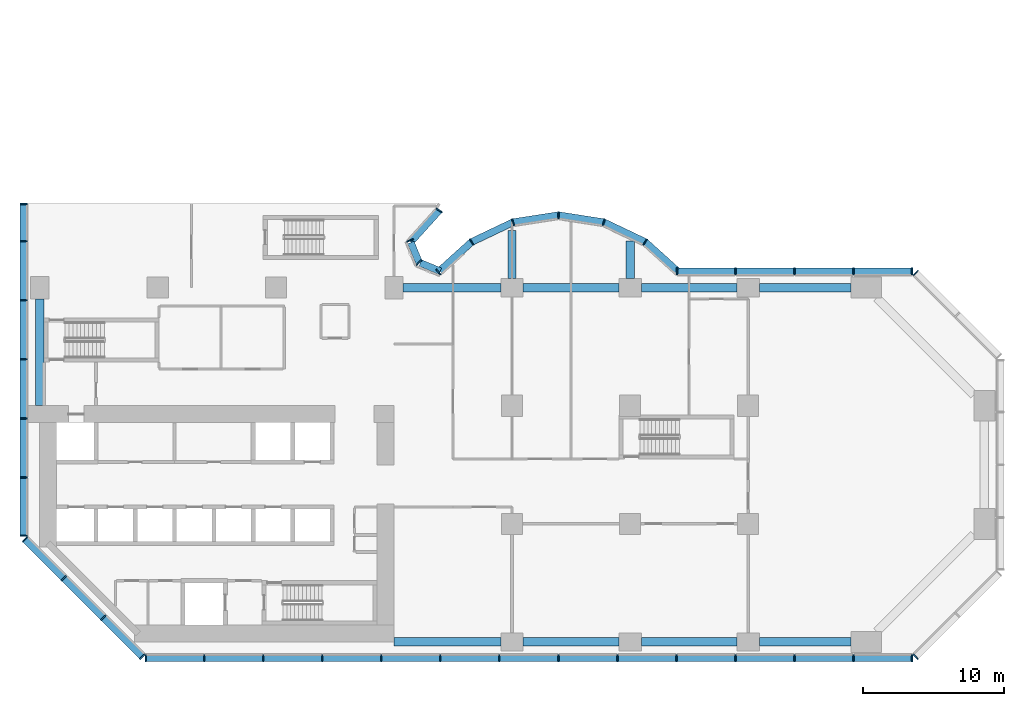
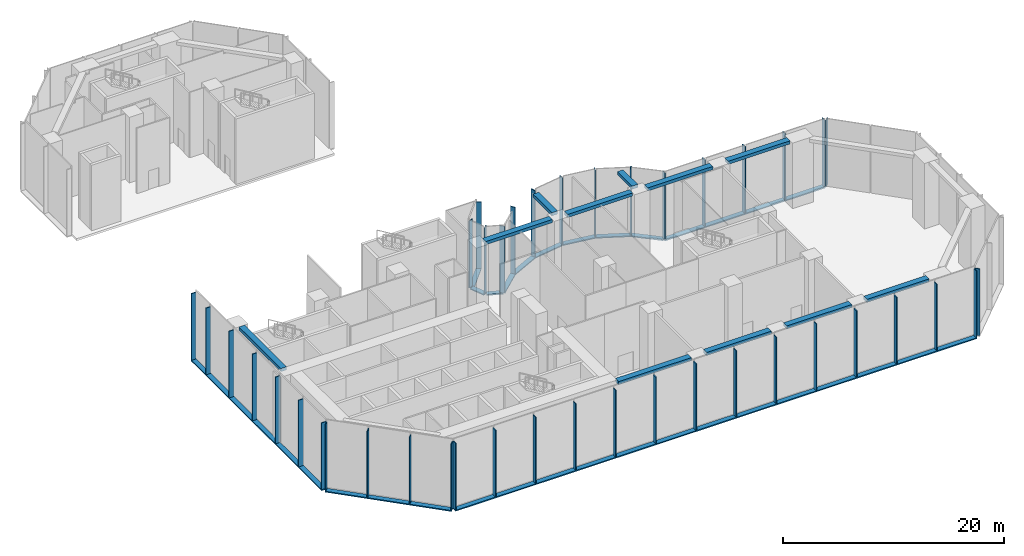
# One storey, part 2 of 16: 54 members, 11 beams, 9 elements without a shape of their own.
"""IFC4 building model written with IfcOpenShell, lengths in metres."""

from ifc_helpers import new_model, si_unit, direction, frame, origin, origin_2d, place, context, subcontext, project, spatial, rectangle, extrude, material, material_profile, profile_set, type_object, element, aggregate, save


model = new_model("IFC4")

# Units and contexts
model_context = context("Model", 3, precision=1e-05, world=origin(), true_north=direction((0.0, 1.0)))
body_context = subcontext(model_context, "Body", "Model", "MODEL_VIEW")
ifc_project = project(units=[si_unit("LENGTHUNIT", "METRE"), si_unit("AREAUNIT", "SQUARE_METRE"), si_unit("VOLUMEUNIT", "CUBIC_METRE"), si_unit("PLANEANGLEUNIT", "RADIAN"), si_unit("MASSUNIT", "GRAM", prefix="KILO")], contexts=[model_context])

# Site, building, storey
site_placement = place(None, origin())
site = spatial("IfcSite", under=ifc_project, at=site_placement, CompositionType="ELEMENT")
building_placement = place(site_placement, origin())
building = spatial("IfcBuilding", under=site, at=building_placement, Name="Brevane Broadcast Tower", CompositionType="ELEMENT")
storey_placement = place(building_placement, frame((0.0, 0.0, 12.5)))
storey = spatial("IfcBuildingStorey", under=building, at=storey_placement, Name="L02", CompositionType="ELEMENT", Elevation=12.5)

# Curtain wall, members
ifc_material_1 = material(Name="Aluminium 6063-T6 bronze anodised", Category="aluminium")
curtain_wall_type = type_object("IfcCurtainWallType", Name="CW-2 curtain wall", PredefinedType="NOTDEFINED", material=ifc_material_1)
curtain_wall_1_placement = place(storey_placement, origin())
curtain_wall_1 = element("IfcCurtainWall", 1, at=curtain_wall_1_placement, inside=storey, type_object=curtain_wall_type, Name="CW-2 podium base unit L02 south face", PredefinedType="NOTDEFINED")
ifc_material_profile_1 = material_profile(ifc_material_1, rectangle(XDim=0.5, YDim=0.090087890625, at=origin_2d()), Name="RECT 90x500")
ifc_profile_set_1 = profile_set([ifc_material_profile_1], Name="Aluminium 6063-T6 bronze anodised")
member_type_1 = type_object("IfcMemberType", Name="CW-2 mullion 90x500", PredefinedType="MULLION", material=ifc_profile_set_1)
member_1_placement = place(storey_placement, frame((7.544921875, -1.14990234375, -0.1298828125), z_axis=(0.0, 0.0, 1.0), x_axis=(0.0, 1.0, 0.0)))
member_1 = element("IfcMember", 2, at=member_1_placement, type_object=member_type_1, Name="CW-2 mullion", PredefinedType="MULLION", context=body_context, shape_type="SweptSolid", body=[
    extrude(rectangle(XDim=0.5, YDim=0.090087890625, at=origin_2d()), origin(), (0.0, 0.0, 1.0), 7.3798828125),
])
member_2_placement = place(storey_placement, frame((11.699951171875, -1.14990234375, -0.1298828125), z_axis=(0.0, 0.0, 1.0), x_axis=(0.0, 1.0, 0.0)))
member_2 = element("IfcMember", 3, at=member_2_placement, type_object=member_type_1, Name="CW-2 mullion", PredefinedType="MULLION", context=body_context, shape_type="SweptSolid", body=[
    extrude(rectangle(XDim=0.5, YDim=0.090087890625, at=origin_2d()), origin(), (0.0, 0.0, 1.0), 7.3798828125),
])
member_3_placement = place(storey_placement, frame((15.89990234375, -1.14990234375, -0.1298828125), z_axis=(0.0, 0.0, 1.0), x_axis=(0.0, 1.0, 0.0)))
member_3 = element("IfcMember", 4, at=member_3_placement, type_object=member_type_1, Name="CW-2 mullion", PredefinedType="MULLION", context=body_context, shape_type="SweptSolid", body=[
    extrude(rectangle(XDim=0.5, YDim=0.090087890625, at=origin_2d()), origin(), (0.0, 0.0, 1.0), 7.3798828125),
])
member_4_placement = place(storey_placement, frame((20.10009765625, -1.14990234375, -0.1298828125), z_axis=(0.0, 0.0, 1.0), x_axis=(0.0, 1.0, 0.0)))
member_4 = element("IfcMember", 5, at=member_4_placement, type_object=member_type_1, Name="CW-2 mullion", PredefinedType="MULLION", context=body_context, shape_type="SweptSolid", body=[
    extrude(rectangle(XDim=0.5, YDim=0.090087890625, at=origin_2d()), origin(), (0.0, 0.0, 1.0), 7.3798828125),
])
member_5_placement = place(storey_placement, frame((24.300048828125, -1.14990234375, -0.1298828125), z_axis=(0.0, 0.0, 1.0), x_axis=(0.0, 1.0, 0.0)))
member_5 = element("IfcMember", 6, at=member_5_placement, type_object=member_type_1, Name="CW-2 mullion", PredefinedType="MULLION", context=body_context, shape_type="SweptSolid", body=[
    extrude(rectangle(XDim=0.5, YDim=0.090087890625, at=origin_2d()), origin(), (0.0, 0.0, 1.0), 7.3798828125),
])
member_6_placement = place(storey_placement, frame((28.5, -1.14990234375, -0.1298828125), z_axis=(0.0, 0.0, 1.0), x_axis=(0.0, 1.0, 0.0)))
member_6 = element("IfcMember", 7, at=member_6_placement, type_object=member_type_1, Name="CW-2 mullion", PredefinedType="MULLION", context=body_context, shape_type="SweptSolid", body=[
    extrude(rectangle(XDim=0.5, YDim=0.090087890625, at=origin_2d()), origin(), (0.0, 0.0, 1.0), 7.3798828125),
])
member_7_placement = place(storey_placement, frame((32.699951171875, -1.14990234375, -0.1298828125), z_axis=(0.0, 0.0, 1.0), x_axis=(0.0, 1.0, 0.0)))
member_7 = element("IfcMember", 8, at=member_7_placement, type_object=member_type_1, Name="CW-2 mullion", PredefinedType="MULLION", context=body_context, shape_type="SweptSolid", body=[
    extrude(rectangle(XDim=0.5, YDim=0.090087890625, at=origin_2d()), origin(), (0.0, 0.0, 1.0), 7.3798828125),
])
member_8_placement = place(storey_placement, frame((36.89990234375, -1.14990234375, -0.1298828125), z_axis=(0.0, 0.0, 1.0), x_axis=(0.0, 1.0, 0.0)))
member_8 = element("IfcMember", 9, at=member_8_placement, type_object=member_type_1, Name="CW-2 mullion", PredefinedType="MULLION", context=body_context, shape_type="SweptSolid", body=[
    extrude(rectangle(XDim=0.5, YDim=0.090087890625, at=origin_2d()), origin(), (0.0, 0.0, 1.0), 7.3798828125),
])
member_9_placement = place(storey_placement, frame((41.10009765625, -1.14990234375, -0.1298828125), z_axis=(0.0, 0.0, 1.0), x_axis=(0.0, 1.0, 0.0)))
member_9 = element("IfcMember", 10, at=member_9_placement, type_object=member_type_1, Name="CW-2 mullion", PredefinedType="MULLION", context=body_context, shape_type="SweptSolid", body=[
    extrude(rectangle(XDim=0.5, YDim=0.090087890625, at=origin_2d()), origin(), (0.0, 0.0, 1.0), 7.3798828125),
])
member_10_placement = place(storey_placement, frame((45.300048828125, -1.14990234375, -0.1298828125), z_axis=(0.0, 0.0, 1.0), x_axis=(0.0, 1.0, 0.0)))
member_10 = element("IfcMember", 11, at=member_10_placement, type_object=member_type_1, Name="CW-2 mullion", PredefinedType="MULLION", context=body_context, shape_type="SweptSolid", body=[
    extrude(rectangle(XDim=0.5, YDim=0.090087890625, at=origin_2d()), origin(), (0.0, 0.0, 1.0), 7.3798828125),
])
member_11_placement = place(storey_placement, frame((49.5, -1.14990234375, -0.1298828125), z_axis=(0.0, 0.0, 1.0), x_axis=(0.0, 1.0, 0.0)))
member_11 = element("IfcMember", 12, at=member_11_placement, type_object=member_type_1, Name="CW-2 mullion", PredefinedType="MULLION", context=body_context, shape_type="SweptSolid", body=[
    extrude(rectangle(XDim=0.5, YDim=0.090087890625, at=origin_2d()), origin(), (0.0, 0.0, 1.0), 7.3798828125),
])
member_12_placement = place(storey_placement, frame((53.699951171875, -1.14990234375, -0.1298828125), z_axis=(0.0, 0.0, 1.0), x_axis=(0.0, 1.0, 0.0)))
member_12 = element("IfcMember", 13, at=member_12_placement, type_object=member_type_1, Name="CW-2 mullion", PredefinedType="MULLION", context=body_context, shape_type="SweptSolid", body=[
    extrude(rectangle(XDim=0.5, YDim=0.090087890625, at=origin_2d()), origin(), (0.0, 0.0, 1.0), 7.3798828125),
])
member_13_placement = place(storey_placement, frame((57.89990234375, -1.14990234375, -0.1298828125), z_axis=(0.0, 0.0, 1.0), x_axis=(0.0, 1.0, 0.0)))
member_13 = element("IfcMember", 14, at=member_13_placement, type_object=member_type_1, Name="CW-2 mullion", PredefinedType="MULLION", context=body_context, shape_type="SweptSolid", body=[
    extrude(rectangle(XDim=0.5, YDim=0.090087890625, at=origin_2d()), origin(), (0.0, 0.0, 1.0), 7.3798828125),
])
member_14_placement = place(storey_placement, frame((62.054931640625, -1.14990234375, -0.1298828125), z_axis=(0.0, 0.0, 1.0), x_axis=(0.0, 1.0, 0.0)))
member_14 = element("IfcMember", 15, at=member_14_placement, type_object=member_type_1, Name="CW-2 mullion", PredefinedType="MULLION", context=body_context, shape_type="SweptSolid", body=[
    extrude(rectangle(XDim=0.5, YDim=0.090087890625, at=origin_2d()), origin(), (0.0, 0.0, 1.0), 7.3798828125),
])

# Curtain wall, member
curtain_wall_2_placement = place(storey_placement, origin())
curtain_wall_2 = element("IfcCurtainWall", 16, at=curtain_wall_2_placement, inside=storey, type_object=curtain_wall_type, Name="CW-2 podium base unit L02 south-east chamfer", PredefinedType="NOTDEFINED")
member_15_placement = place(storey_placement, frame((62.30859375, -1.044921875, -0.1298828125), z_axis=(0.0, 0.0, 1.0), x_axis=(-0.707106781187, 0.707106781187, 0.0)))
member_15 = element("IfcMember", 17, at=member_15_placement, type_object=member_type_1, Name="CW-2 mullion", PredefinedType="MULLION", context=body_context, shape_type="SweptSolid", body=[
    extrude(rectangle(XDim=0.5, YDim=0.090087890625, at=origin_2d()), origin(), (0.0, 0.0, 1.0), 7.3798828125),
])
aggregate(curtain_wall_2, [member_15])

curtain_wall_3_placement = place(storey_placement, origin())
curtain_wall_3 = element("IfcCurtainWall", 18, at=curtain_wall_3_placement, inside=storey, type_object=curtain_wall_type, Name="CW-2 podium base unit L02 north-east chamfer", PredefinedType="NOTDEFINED")
member_16_placement = place(storey_placement, frame((62.30859375, 26.244873046875, -0.1298828125), z_axis=(0.0, 0.0, 1.0), x_axis=(-0.707106781187, -0.707106781187, 0.0)))
member_16 = element("IfcMember", 19, at=member_16_placement, type_object=member_type_1, Name="CW-2 mullion", PredefinedType="MULLION", context=body_context, shape_type="SweptSolid", body=[
    extrude(rectangle(XDim=0.5, YDim=0.090087890625, at=origin_2d()), origin(), (0.0, 0.0, 1.0), 7.3798828125),
])
aggregate(curtain_wall_3, [member_16])

# Curtain wall, members
curtain_wall_4_placement = place(storey_placement, origin())
curtain_wall_4 = element("IfcCurtainWall", 20, at=curtain_wall_4_placement, inside=storey, type_object=curtain_wall_type, Name="CW-2 podium base unit L02 east arm north face", PredefinedType="NOTDEFINED")
member_17_placement = place(storey_placement, frame((62.054931640625, 26.35009765625, -0.1298828125), z_axis=(0.0, 0.0, 1.0), x_axis=(0.0, -1.0, 0.0)))
member_17 = element("IfcMember", 21, at=member_17_placement, type_object=member_type_1, Name="CW-2 mullion", PredefinedType="MULLION", context=body_context, shape_type="SweptSolid", body=[
    extrude(rectangle(XDim=0.5, YDim=0.090087890625, at=origin_2d()), origin(), (0.0, 0.0, 1.0), 7.3798828125),
])
member_18_placement = place(storey_placement, frame((57.89990234375, 26.35009765625, -0.1298828125), z_axis=(0.0, 0.0, 1.0), x_axis=(0.0, -1.0, 0.0)))
member_18 = element("IfcMember", 22, at=member_18_placement, type_object=member_type_1, Name="CW-2 mullion", PredefinedType="MULLION", context=body_context, shape_type="SweptSolid", body=[
    extrude(rectangle(XDim=0.5, YDim=0.090087890625, at=origin_2d()), origin(), (0.0, 0.0, 1.0), 7.3798828125),
])
member_19_placement = place(storey_placement, frame((53.699951171875, 26.35009765625, -0.1298828125), z_axis=(0.0, 0.0, 1.0), x_axis=(0.0, -1.0, 0.0)))
member_19 = element("IfcMember", 23, at=member_19_placement, type_object=member_type_1, Name="CW-2 mullion", PredefinedType="MULLION", context=body_context, shape_type="SweptSolid", body=[
    extrude(rectangle(XDim=0.5, YDim=0.090087890625, at=origin_2d()), origin(), (0.0, 0.0, 1.0), 7.3798828125),
])
member_20_placement = place(storey_placement, frame((49.5, 26.35009765625, -0.1298828125), z_axis=(0.0, 0.0, 1.0), x_axis=(0.0, -1.0, 0.0)))
member_20 = element("IfcMember", 24, at=member_20_placement, type_object=member_type_1, Name="CW-2 mullion", PredefinedType="MULLION", context=body_context, shape_type="SweptSolid", body=[
    extrude(rectangle(XDim=0.5, YDim=0.090087890625, at=origin_2d()), origin(), (0.0, 0.0, 1.0), 7.3798828125),
])
member_21_placement = place(storey_placement, frame((45.344970703125, 26.35009765625, -0.1298828125), z_axis=(0.0, 0.0, 1.0), x_axis=(0.0, -1.0, 0.0)))
member_21 = element("IfcMember", 25, at=member_21_placement, type_object=member_type_1, Name="CW-2 mullion", PredefinedType="MULLION", context=body_context, shape_type="SweptSolid", body=[
    extrude(rectangle(XDim=0.5, YDim=0.090087890625, at=origin_2d()), origin(), (0.0, 0.0, 1.0), 7.3798828125),
])

curtain_wall_5_placement = place(storey_placement, origin())
curtain_wall_5 = element("IfcCurtainWall", 26, at=curtain_wall_5_placement, inside=storey, type_object=curtain_wall_type, Name="CW-2 podium base unit L02 east bow", PredefinedType="NOTDEFINED")
member_22_placement = place(storey_placement, frame((43.0712890625, 28.447021484375, -0.1298828125), z_axis=(0.0, 0.0, 1.0), x_axis=(-0.555997481379, -0.831183975243, 0.0)))
member_22 = element("IfcMember", 27, at=member_22_placement, type_object=member_type_1, Name="CW-2 mullion", PredefinedType="MULLION", context=body_context, shape_type="SweptSolid", body=[
    extrude(rectangle(XDim=0.5, YDim=0.090087890625, at=origin_2d()), origin(), (0.0, 0.0, 1.0), 7.3798828125),
])
member_23_placement = place(storey_placement, frame((40.126953125, 29.84912109375, -0.1298828125), z_axis=(0.0, 0.0, 1.0), x_axis=(-0.294828346832, -0.955550232015, 0.0)))
member_23 = element("IfcMember", 28, at=member_23_placement, type_object=member_type_1, Name="CW-2 mullion", PredefinedType="MULLION", context=body_context, shape_type="SweptSolid", body=[
    extrude(rectangle(XDim=0.5, YDim=0.090087890625, at=origin_2d()), origin(), (0.0, 0.0, 1.0), 7.3798828125),
])
member_24_placement = place(storey_placement, frame((36.89990234375, 30.35009765625, -0.1298828125), z_axis=(0.0, 0.0, 1.0), x_axis=(0.0, -1.0, 0.0)))
member_24 = element("IfcMember", 29, at=member_24_placement, type_object=member_type_1, Name="CW-2 mullion", PredefinedType="MULLION", context=body_context, shape_type="SweptSolid", body=[
    extrude(rectangle(XDim=0.5, YDim=0.090087890625, at=origin_2d()), origin(), (0.0, 0.0, 1.0), 7.3798828125),
])
member_25_placement = place(storey_placement, frame((33.673095703125, 29.84912109375, -0.1298828125), z_axis=(0.0, 0.0, 1.0), x_axis=(0.294828346832, -0.955550232015, 0.0)))
member_25 = element("IfcMember", 30, at=member_25_placement, type_object=member_type_1, Name="CW-2 mullion", PredefinedType="MULLION", context=body_context, shape_type="SweptSolid", body=[
    extrude(rectangle(XDim=0.5, YDim=0.090087890625, at=origin_2d()), origin(), (0.0, 0.0, 1.0), 7.3798828125),
])
member_26_placement = place(storey_placement, frame((30.728759765625, 28.447021484375, -0.1298828125), z_axis=(0.0, 0.0, 1.0), x_axis=(0.555997481379, -0.831183975243, 0.0)))
member_26 = element("IfcMember", 31, at=member_26_placement, type_object=member_type_1, Name="CW-2 mullion", PredefinedType="MULLION", context=body_context, shape_type="SweptSolid", body=[
    extrude(rectangle(XDim=0.5, YDim=0.090087890625, at=origin_2d()), origin(), (0.0, 0.0, 1.0), 7.3798828125),
])
member_27_placement = place(storey_placement, frame((28.36572265625, 26.315673828125, -0.1298828125), z_axis=(0.0, 0.0, 1.0), x_axis=(0.670368934758, -0.742027958578, 0.0)))
member_27 = element("IfcMember", 32, at=member_27_placement, type_object=member_type_1, Name="CW-2 mullion", PredefinedType="MULLION", context=body_context, shape_type="SweptSolid", body=[
    extrude(rectangle(XDim=0.5, YDim=0.090087890625, at=origin_2d()), origin(), (0.0, 0.0, 1.0), 7.3798828125),
])

curtain_wall_6_placement = place(storey_placement, origin())
curtain_wall_6 = element("IfcCurtainWall", 33, at=curtain_wall_6_placement, inside=storey, type_object=curtain_wall_type, Name="CW-2 podium base unit L02 inner corner", PredefinedType="NOTDEFINED")
member_28_placement = place(storey_placement, frame((26.979736328125, 26.979736328125, -0.1298828125), z_axis=(0.0, 0.0, 1.0), x_axis=(-0.707106781187, -0.707106781187, 0.0)))
member_28 = element("IfcMember", 34, at=member_28_placement, type_object=member_type_1, Name="CW-2 mullion", PredefinedType="MULLION", context=body_context, shape_type="SweptSolid", body=[
    extrude(rectangle(XDim=0.5, YDim=0.090087890625, at=origin_2d()), origin(), (0.0, 0.0, 1.0), 7.3798828125),
])
member_29_placement = place(storey_placement, frame((26.34814453125, 28.55419921875, -0.1298828125), z_axis=(0.0, 0.0, 1.0), x_axis=(-0.923879457699, -0.382683612978, 0.0)))
member_29 = element("IfcMember", 35, at=member_29_placement, type_object=member_type_1, Name="CW-2 mullion", PredefinedType="MULLION", context=body_context, shape_type="SweptSolid", body=[
    extrude(rectangle(XDim=0.5, YDim=0.090087890625, at=origin_2d()), origin(), (0.0, 0.0, 1.0), 7.3798828125),
])

# Curtain wall, member
curtain_wall_7_placement = place(storey_placement, origin())
curtain_wall_7 = element("IfcCurtainWall", 36, at=curtain_wall_7_placement, inside=storey, type_object=curtain_wall_type, Name="CW-2 podium base unit L02 north bow", PredefinedType="NOTDEFINED")
member_30_placement = place(storey_placement, frame((28.421875, 30.69140625, -0.1298828125), z_axis=(0.0, 0.0, 1.0), x_axis=(-0.831183975243, 0.555997481379, 0.0)))
member_30 = element("IfcMember", 37, at=member_30_placement, type_object=member_type_1, Name="CW-2 mullion", PredefinedType="MULLION", context=body_context, shape_type="SweptSolid", body=[
    extrude(rectangle(XDim=0.5, YDim=0.090087890625, at=origin_2d()), origin(), (0.0, 0.0, 1.0), 7.3798828125),
])

# Curtain wall, members
curtain_wall_8_placement = place(storey_placement, origin())
curtain_wall_8 = element("IfcCurtainWall", 38, at=curtain_wall_8_placement, inside=storey, type_object=curtain_wall_type, Name="CW-2 podium base unit L02 west face", PredefinedType="NOTDEFINED")
member_31_placement = place(storey_placement, frame((-1.14990234375, 31.155029296875, -0.1298828125), z_axis=(0.0, 0.0, 1.0), x_axis=(1.0, 0.0, 0.0)))
member_31 = element("IfcMember", 39, at=member_31_placement, type_object=member_type_1, Name="CW-2 mullion", PredefinedType="MULLION", context=body_context, shape_type="SweptSolid", body=[
    extrude(rectangle(XDim=0.5, YDim=0.090087890625, at=origin_2d()), origin(), (0.0, 0.0, 1.0), 7.3798828125),
])
member_32_placement = place(storey_placement, frame((-1.14990234375, 28.5, -0.1298828125), z_axis=(0.0, 0.0, 1.0), x_axis=(1.0, 0.0, 0.0)))
member_32 = element("IfcMember", 40, at=member_32_placement, type_object=member_type_1, Name="CW-2 mullion", PredefinedType="MULLION", context=body_context, shape_type="SweptSolid", body=[
    extrude(rectangle(XDim=0.5, YDim=0.090087890625, at=origin_2d()), origin(), (0.0, 0.0, 1.0), 7.3798828125),
])
member_33_placement = place(storey_placement, frame((-1.14990234375, 24.300048828125, -0.1298828125), z_axis=(0.0, 0.0, 1.0), x_axis=(1.0, 0.0, 0.0)))
member_33 = element("IfcMember", 41, at=member_33_placement, type_object=member_type_1, Name="CW-2 mullion", PredefinedType="MULLION", context=body_context, shape_type="SweptSolid", body=[
    extrude(rectangle(XDim=0.5, YDim=0.090087890625, at=origin_2d()), origin(), (0.0, 0.0, 1.0), 7.3798828125),
])
member_34_placement = place(storey_placement, frame((-1.14990234375, 20.10009765625, -0.1298828125), z_axis=(0.0, 0.0, 1.0), x_axis=(1.0, 0.0, 0.0)))
member_34 = element("IfcMember", 42, at=member_34_placement, type_object=member_type_1, Name="CW-2 mullion", PredefinedType="MULLION", context=body_context, shape_type="SweptSolid", body=[
    extrude(rectangle(XDim=0.5, YDim=0.090087890625, at=origin_2d()), origin(), (0.0, 0.0, 1.0), 7.3798828125),
])
member_35_placement = place(storey_placement, frame((-1.14990234375, 15.89990234375, -0.1298828125), z_axis=(0.0, 0.0, 1.0), x_axis=(1.0, 0.0, 0.0)))
member_35 = element("IfcMember", 43, at=member_35_placement, type_object=member_type_1, Name="CW-2 mullion", PredefinedType="MULLION", context=body_context, shape_type="SweptSolid", body=[
    extrude(rectangle(XDim=0.5, YDim=0.090087890625, at=origin_2d()), origin(), (0.0, 0.0, 1.0), 7.3798828125),
])
member_36_placement = place(storey_placement, frame((-1.14990234375, 11.699951171875, -0.1298828125), z_axis=(0.0, 0.0, 1.0), x_axis=(1.0, 0.0, 0.0)))
member_36 = element("IfcMember", 44, at=member_36_placement, type_object=member_type_1, Name="CW-2 mullion", PredefinedType="MULLION", context=body_context, shape_type="SweptSolid", body=[
    extrude(rectangle(XDim=0.5, YDim=0.090087890625, at=origin_2d()), origin(), (0.0, 0.0, 1.0), 7.3798828125),
])
member_37_placement = place(storey_placement, frame((-1.14990234375, 7.544921875, -0.1298828125), z_axis=(0.0, 0.0, 1.0), x_axis=(1.0, 0.0, 0.0)))
member_37 = element("IfcMember", 45, at=member_37_placement, type_object=member_type_1, Name="CW-2 mullion", PredefinedType="MULLION", context=body_context, shape_type="SweptSolid", body=[
    extrude(rectangle(XDim=0.5, YDim=0.090087890625, at=origin_2d()), origin(), (0.0, 0.0, 1.0), 7.3798828125),
])

curtain_wall_9_placement = place(storey_placement, origin())
curtain_wall_9 = element("IfcCurtainWall", 46, at=curtain_wall_9_placement, inside=storey, type_object=curtain_wall_type, Name="CW-2 podium base unit L02 south-west chamfer", PredefinedType="NOTDEFINED")
member_38_placement = place(storey_placement, frame((-1.044921875, 7.29150390625, -0.1298828125), z_axis=(0.0, 0.0, 1.0), x_axis=(0.707106781187, 0.707106781187, 0.0)))
member_38 = element("IfcMember", 47, at=member_38_placement, type_object=member_type_1, Name="CW-2 mullion", PredefinedType="MULLION", context=body_context, shape_type="SweptSolid", body=[
    extrude(rectangle(XDim=0.5, YDim=0.090087890625, at=origin_2d()), origin(), (0.0, 0.0, 1.0), 7.3798828125),
])
member_39_placement = place(storey_placement, frame((1.72314453125, 4.523193359375, -0.1298828125), z_axis=(0.0, 0.0, 1.0), x_axis=(0.707106781187, 0.707106781187, 0.0)))
member_39 = element("IfcMember", 48, at=member_39_placement, type_object=member_type_1, Name="CW-2 mullion", PredefinedType="MULLION", context=body_context, shape_type="SweptSolid", body=[
    extrude(rectangle(XDim=0.5, YDim=0.090087890625, at=origin_2d()), origin(), (0.0, 0.0, 1.0), 7.3798828125),
])
member_40_placement = place(storey_placement, frame((4.523193359375, 1.72314453125, -0.1298828125), z_axis=(0.0, 0.0, 1.0), x_axis=(0.707106781187, 0.707106781187, 0.0)))
member_40 = element("IfcMember", 49, at=member_40_placement, type_object=member_type_1, Name="CW-2 mullion", PredefinedType="MULLION", context=body_context, shape_type="SweptSolid", body=[
    extrude(rectangle(XDim=0.5, YDim=0.090087890625, at=origin_2d()), origin(), (0.0, 0.0, 1.0), 7.3798828125),
])
member_41_placement = place(storey_placement, frame((7.29150390625, -1.044921875, -0.1298828125), z_axis=(0.0, 0.0, 1.0), x_axis=(0.707106781187, 0.707106781187, 0.0)))
member_41 = element("IfcMember", 50, at=member_41_placement, type_object=member_type_1, Name="CW-2 mullion", PredefinedType="MULLION", context=body_context, shape_type="SweptSolid", body=[
    extrude(rectangle(XDim=0.5, YDim=0.090087890625, at=origin_2d()), origin(), (0.0, 0.0, 1.0), 7.3798828125),
])

# Member
ifc_material_profile_2 = material_profile(ifc_material_1, rectangle(XDim=0.5, YDim=0.1201171875, at=origin_2d()), Name="RECT 120x500")
ifc_profile_set_2 = profile_set([ifc_material_profile_2], Name="Aluminium 6063-T6 bronze anodised")
member_type_2 = type_object("IfcMemberType", Name="CW-2 transom 120x500", PredefinedType="USERDEFINED", material=ifc_profile_set_2)
member_42_placement = place(storey_placement, frame((7.5, -1.14990234375, -0.18994140625), z_axis=(1.0, 0.0, 0.0), x_axis=(0.0, 1.0, 0.0)))
member_42 = element("IfcMember", 51, at=member_42_placement, type_object=member_type_2, Name="CW-2 transom", ObjectType="TRANSOM", PredefinedType="USERDEFINED", context=body_context, shape_type="SweptSolid", body=[
    extrude(rectangle(XDim=0.5, YDim=0.1201171875, at=origin_2d()), origin(), (0.0, 0.0, 1.0), 54.60009765625),
])

aggregate(curtain_wall_1, [member_1, member_2, member_3, member_4, member_5, member_6, member_7, member_8, member_9, member_10, member_11, member_12, member_13, member_14, member_42])

member_43_placement = place(storey_placement, frame((62.10009765625, 26.35009765625, -0.18994140625), z_axis=(-1.0, 0.0, 0.0), x_axis=(0.0, -1.0, 0.0)))
member_43 = element("IfcMember", 52, at=member_43_placement, type_object=member_type_2, Name="CW-2 transom", ObjectType="TRANSOM", PredefinedType="USERDEFINED", context=body_context, shape_type="SweptSolid", body=[
    extrude(rectangle(XDim=0.5, YDim=0.1201171875, at=origin_2d()), origin(), (0.0, 0.0, 1.0), 16.800048828125),
])

aggregate(curtain_wall_4, [member_17, member_18, member_19, member_20, member_21, member_43])

member_44_placement = place(storey_placement, frame((45.349365234375, 26.39208984375, -0.18994140625), z_axis=(-0.742007303722, 0.670391796805, 0.0), x_axis=(-0.670391796805, -0.742007303722, 0.0)))
member_44 = element("IfcMember", 53, at=member_44_placement, type_object=member_type_2, Name="CW-2 transom", ObjectType="TRANSOM", PredefinedType="USERDEFINED", context=body_context, shape_type="SweptSolid", body=[
    extrude(rectangle(XDim=0.5, YDim=0.1201171875, at=origin_2d()), origin(), (0.0, 0.0, 1.0), 3.040771484375),
])

member_45_placement = place(storey_placement, frame((43.039794921875, 28.46484375, -0.18994140625), z_axis=(-0.902852027894, 0.429951410892, 0.0), x_axis=(-0.429951410892, -0.902852027894, 0.0)))
member_45 = element("IfcMember", 54, at=member_45_placement, type_object=member_type_2, Name="CW-2 transom", ObjectType="TRANSOM", PredefinedType="USERDEFINED", context=body_context, shape_type="SweptSolid", body=[
    extrude(rectangle(XDim=0.5, YDim=0.1201171875, at=origin_2d()), origin(), (0.0, 0.0, 1.0), 3.18896484375),
])

member_46_placement = place(storey_placement, frame((40.100341796875, 29.855712890625, -0.18994140625), z_axis=(-0.988151305523, 0.153482889576, 0.0), x_axis=(-0.153482889576, -0.988151305523, 0.0)))
member_46 = element("IfcMember", 55, at=member_46_placement, type_object=member_type_2, Name="CW-2 transom", ObjectType="TRANSOM", PredefinedType="USERDEFINED", context=body_context, shape_type="SweptSolid", body=[
    extrude(rectangle(XDim=0.5, YDim=0.1201171875, at=origin_2d()), origin(), (0.0, 0.0, 1.0), 3.19091796875),
])

member_47_placement = place(storey_placement, frame((36.852783203125, 30.345458984375, -0.18994140625), z_axis=(-0.98815310771, -0.153471286317, 0.0), x_axis=(0.153471286317, -0.98815310771, 0.0)))
member_47 = element("IfcMember", 56, at=member_47_placement, type_object=member_type_2, Name="CW-2 transom", ObjectType="TRANSOM", PredefinedType="USERDEFINED", context=body_context, shape_type="SweptSolid", body=[
    extrude(rectangle(XDim=0.5, YDim=0.1201171875, at=origin_2d()), origin(), (0.0, 0.0, 1.0), 3.191162109375),
])

member_48_placement = place(storey_placement, frame((33.639404296875, 29.8359375, -0.18994140625), z_axis=(-0.902852027894, -0.429951410892, 0.0), x_axis=(0.429951410892, -0.902852027894, 0.0)))
member_48 = element("IfcMember", 57, at=member_48_placement, type_object=member_type_2, Name="CW-2 transom", ObjectType="TRANSOM", PredefinedType="USERDEFINED", context=body_context, shape_type="SweptSolid", body=[
    extrude(rectangle(XDim=0.5, YDim=0.1201171875, at=origin_2d()), origin(), (0.0, 0.0, 1.0), 3.18896484375),
])

member_49_placement = place(storey_placement, frame((30.70703125, 28.4306640625, -0.18994140625), z_axis=(-0.742043383245, -0.670351860878, 0.0), x_axis=(0.670351860878, -0.742043383245, 0.0)))
member_49 = element("IfcMember", 58, at=member_49_placement, type_object=member_type_2, Name="CW-2 transom", ObjectType="TRANSOM", PredefinedType="USERDEFINED", context=body_context, shape_type="SweptSolid", body=[
    extrude(rectangle(XDim=0.5, YDim=0.1201171875, at=origin_2d()), origin(), (0.0, 0.0, 1.0), 3.041015625),
])

aggregate(curtain_wall_5, [member_22, member_23, member_24, member_25, member_26, member_27, member_44, member_45, member_46, member_47, member_48, member_49])

member_50_placement = place(storey_placement, frame((28.500244140625, 26.365234375, -0.18994140625), z_axis=(-0.923883243627, 0.382674472816, 0.0), x_axis=(-0.382674472816, -0.923883243627, 0.0)))
member_50 = element("IfcMember", 59, at=member_50_placement, type_object=member_type_2, Name="CW-2 transom", ObjectType="TRANSOM", PredefinedType="USERDEFINED", context=body_context, shape_type="SweptSolid", body=[
    extrude(rectangle(XDim=0.5, YDim=0.1201171875, at=origin_2d()), origin(), (0.0, 0.0, 1.0), 1.536865234375),
])

member_51_placement = place(storey_placement, frame((26.99072265625, 26.990234375, -0.18994140625), z_axis=(-0.382674472816, 0.923883243627, 0.0), x_axis=(-0.923883243627, -0.382674472816, 0.0)))
member_51 = element("IfcMember", 60, at=member_51_placement, type_object=member_type_2, Name="CW-2 transom", ObjectType="TRANSOM", PredefinedType="USERDEFINED", context=body_context, shape_type="SweptSolid", body=[
    extrude(rectangle(XDim=0.5, YDim=0.1201171875, at=origin_2d()), origin(), (0.0, 0.0, 1.0), 1.536865234375),
])

aggregate(curtain_wall_6, [member_28, member_29, member_50, member_51])

member_52_placement = place(storey_placement, frame((26.39208984375, 28.450439453125, -0.18994140625), z_axis=(0.670351860878, 0.742043383245, 0.0), x_axis=(-0.742043383245, 0.670351860878, 0.0)))
member_52 = element("IfcMember", 61, at=member_52_placement, type_object=member_type_2, Name="CW-2 transom", ObjectType="TRANSOM", PredefinedType="USERDEFINED", context=body_context, shape_type="SweptSolid", body=[
    extrude(rectangle(XDim=0.5, YDim=0.1201171875, at=origin_2d()), origin(), (0.0, 0.0, 1.0), 3.041015625),
])

aggregate(curtain_wall_7, [member_30, member_52])

member_53_placement = place(storey_placement, frame((-1.14990234375, 31.199951171875, -0.18994140625), z_axis=(0.0, -1.0, 0.0), x_axis=(1.0, 0.0, 0.0)))
member_53 = element("IfcMember", 62, at=member_53_placement, type_object=member_type_2, Name="CW-2 transom", ObjectType="TRANSOM", PredefinedType="USERDEFINED", context=body_context, shape_type="SweptSolid", body=[
    extrude(rectangle(XDim=0.5, YDim=0.1201171875, at=origin_2d()), origin(), (0.0, 0.0, 1.0), 23.699951171875),
])

aggregate(curtain_wall_8, [member_31, member_32, member_33, member_34, member_35, member_36, member_37, member_53])

member_54_placement = place(storey_placement, frame((-1.07666015625, 7.3232421875, -0.18994140625), z_axis=(0.707106781187, -0.707106781187, 0.0), x_axis=(0.707106781187, 0.707106781187, 0.0)))
member_54 = element("IfcMember", 63, at=member_54_placement, type_object=member_type_2, Name="CW-2 transom", ObjectType="TRANSOM", PredefinedType="USERDEFINED", context=body_context, shape_type="SweptSolid", body=[
    extrude(rectangle(XDim=0.5, YDim=0.1201171875, at=origin_2d()), origin(), (0.0, 0.0, 1.0), 11.879150390625),
])

aggregate(curtain_wall_9, [member_38, member_39, member_40, member_41, member_54])

# Beams
ifc_material_2 = material(Name="Concrete C40/50", Category="concrete")
ifc_material_profile_3 = material_profile(ifc_material_2, rectangle(XDim=0.60009765625, YDim=0.35009765625, at=origin_2d()), Name="RC 600x350")
ifc_profile_set_3 = profile_set([ifc_material_profile_3], Name="Concrete C40/50")
beam_type_1 = type_object("IfcBeamType", Name="RC BRACKET BEAM 600x350 C40/50", PredefinedType="BEAM", material=ifc_profile_set_3)
beam_1_placement = place(storey_placement, frame((33.60009765625, 25.85009765625, 7.074951171875), z_axis=(0.0, 1.0, 0.0), x_axis=(-1.0, 0.0, 0.0)))
element("IfcBeam", 64, at=beam_1_placement, inside=storey, type_object=beam_type_1, Name="EB2 L02-1", PredefinedType="BEAM", context=body_context, shape_type="SweptSolid", body=[
    extrude(rectangle(XDim=0.60009765625, YDim=0.35009765625, at=origin_2d()), origin(), (0.0, 0.0, 1.0), 3.411865234375),
])
beam_2_placement = place(storey_placement, frame((42.0, 25.85009765625, 7.074951171875), z_axis=(0.0, 1.0, 0.0), x_axis=(-1.0, 0.0, 0.0)))
element("IfcBeam", 65, at=beam_2_placement, inside=storey, type_object=beam_type_1, Name="EB2 L02-2", PredefinedType="BEAM", context=body_context, shape_type="SweptSolid", body=[
    extrude(rectangle(XDim=0.60009765625, YDim=0.35009765625, at=origin_2d()), origin(), (0.0, 0.0, 1.0), 2.661376953125),
])
ifc_material_profile_4 = material_profile(ifc_material_2, rectangle(XDim=0.60009765625, YDim=0.35009765625, at=origin_2d()), Name="RC 600x350")
ifc_profile_set_4 = profile_set([ifc_material_profile_4], Name="Concrete C40/50")
beam_type_2 = type_object("IfcBeamType", Name="RC SPANDREL BEAM 600x350 C40/50", PredefinedType="SPANDREL", material=ifc_profile_set_4)
beam_3_placement = place(storey_placement, frame((25.199951171875, 0.0, 7.074951171875), z_axis=(1.0, 0.0, 0.0), x_axis=(0.0, 1.0, 0.0)))
element("IfcBeam", 66, at=beam_3_placement, inside=storey, type_object=beam_type_2, Name="EB1 L02-1", PredefinedType="SPANDREL", context=body_context, shape_type="SweptSolid", body=[
    extrude(rectangle(XDim=0.60009765625, YDim=0.35009765625, at=origin_2d()), origin(), (0.0, 0.0, 1.0), 7.60009765625),
])
for number, where, z_axis, x_axis, name in (
    (67, (34.39990234375, 0.0, 7.074951171875), (1.0, 0.0, 0.0), (0.0, 1.0, 0.0), "EB1 L02-2"),
    (68, (42.800048828125, 0.0, 7.074951171875), (1.0, 0.0, 0.0), (0.0, 1.0, 0.0), "EB1 L02-3"),
):
    element("IfcBeam", number, at=place(storey_placement, frame(where, z_axis=z_axis, x_axis=x_axis)), inside=storey, type_object=beam_type_2, Name=name, PredefinedType="SPANDREL", context=body_context, shape_type="SweptSolid", body=[
        extrude(rectangle(XDim=0.60009765625, YDim=0.35009765625, at=origin_2d()), origin(), (0.0, 0.0, 1.0), 6.800048828125),
    ])
for number, where, z_axis, x_axis, name in (
    (69, (51.199951171875, 0.0, 7.074951171875), (1.0, 0.0, 0.0), (0.0, 1.0, 0.0), "EB1 L02-4"),
    (70, (57.699951171875, 25.199951171875, 7.074951171875), (-1.0, 0.0, 0.0), (0.0, -1.0, 0.0), "EB1 L02-8"),
):
    element("IfcBeam", number, at=place(storey_placement, frame(where, z_axis=z_axis, x_axis=x_axis)), inside=storey, type_object=beam_type_2, Name=name, PredefinedType="SPANDREL", context=body_context, shape_type="SweptSolid", body=[
        extrude(rectangle(XDim=0.60009765625, YDim=0.35009765625, at=origin_2d()), origin(), (0.0, 0.0, 1.0), 6.5),
    ])
for number, where, z_axis, x_axis, name in (
    (71, (49.60009765625, 25.199951171875, 7.074951171875), (-1.0, 0.0, 0.0), (0.0, -1.0, 0.0), "EB1 L02-9"),
    (72, (41.199951171875, 25.199951171875, 7.074951171875), (-1.0, 0.0, 0.0), (0.0, -1.0, 0.0), "EB1 L02-10"),
):
    element("IfcBeam", number, at=place(storey_placement, frame(where, z_axis=z_axis, x_axis=x_axis)), inside=storey, type_object=beam_type_2, Name=name, PredefinedType="SPANDREL", context=body_context, shape_type="SweptSolid", body=[
        extrude(rectangle(XDim=0.60009765625, YDim=0.35009765625, at=origin_2d()), origin(), (0.0, 0.0, 1.0), 6.800048828125),
    ])
beam_4_placement = place(storey_placement, frame((32.800048828125, 25.199951171875, 7.074951171875), z_axis=(-1.0, 0.0, 0.0), x_axis=(0.0, -1.0, 0.0)))
element("IfcBeam", 73, at=beam_4_placement, inside=storey, type_object=beam_type_2, Name="EB1 L02-11", PredefinedType="SPANDREL", context=body_context, shape_type="SweptSolid", body=[
    extrude(rectangle(XDim=0.60009765625, YDim=0.35009765625, at=origin_2d()), origin(), (0.0, 0.0, 1.0), 6.949951171875),
])
beam_5_placement = place(storey_placement, frame((0.0, 24.39990234375, 7.074951171875), z_axis=(0.0, -1.0, 0.0), x_axis=(1.0, 0.0, 0.0)))
element("IfcBeam", 74, at=beam_5_placement, inside=storey, type_object=beam_type_2, Name="EB1 L02-15", PredefinedType="SPANDREL", context=body_context, shape_type="SweptSolid", body=[
    extrude(rectangle(XDim=0.60009765625, YDim=0.35009765625, at=origin_2d()), origin(), (0.0, 0.0, 1.0), 7.599853515625),
])

save(model, "model.ifc")
